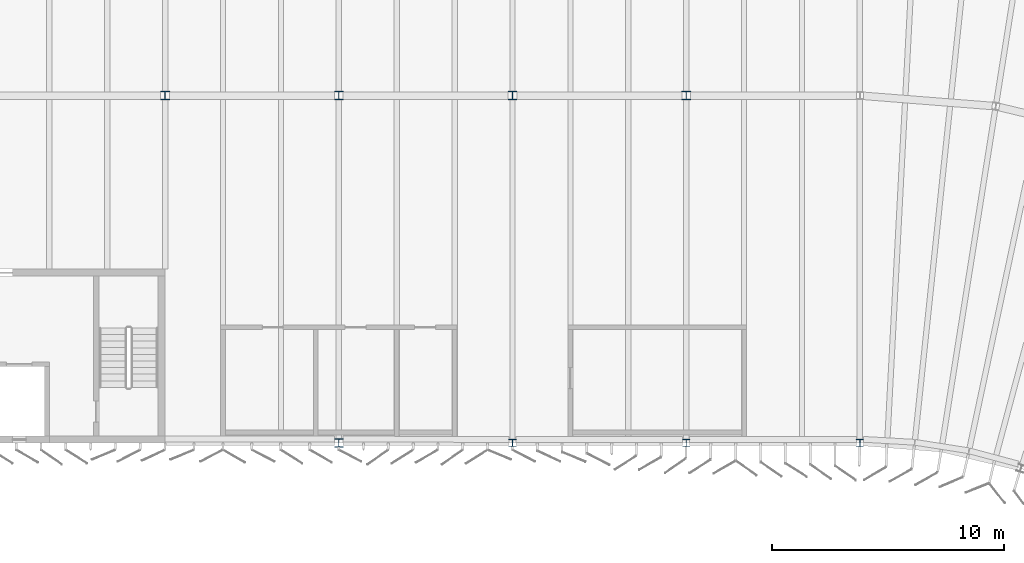
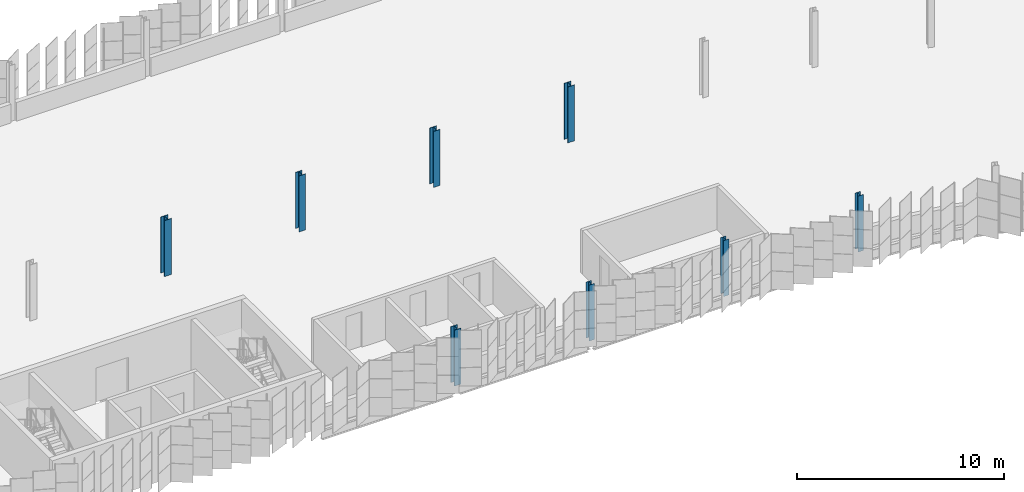
# One storey, part 20 of 199: 8 columns.
"""IFC4 building model written with IfcOpenShell, lengths in metres."""

from ifc_helpers import new_model, si_unit, direction, frame, origin, origin_2d, place, context, subcontext, project, spatial, i_section, extrude, material, material_profile, profile_set, type_object, element, save


model = new_model("IFC4")

# Units and contexts
model_context = context("Model", 3, precision=1e-05, world=origin(), true_north=direction((0.0, 1.0)))
body_context = subcontext(model_context, "Body", "Model", "MODEL_VIEW")
ifc_project = project(units=[si_unit("LENGTHUNIT", "METRE"), si_unit("AREAUNIT", "SQUARE_METRE"), si_unit("VOLUMEUNIT", "CUBIC_METRE"), si_unit("PLANEANGLEUNIT", "RADIAN"), si_unit("MASSUNIT", "GRAM", prefix="KILO")], contexts=[model_context])

# Site, building, storey
site_placement = place(None, origin())
site = spatial("IfcSite", under=ifc_project, at=site_placement, CompositionType="ELEMENT")
building_placement = place(site_placement, origin())
building = spatial("IfcBuilding", under=site, at=building_placement, Name="Parallax Yard Mobility Hub", CompositionType="ELEMENT")
storey_placement = place(building_placement, frame((0.0, 0.0, 9.89990234375)))
storey = spatial("IfcBuildingStorey", under=building, at=storey_placement, Name="L03", CompositionType="ELEMENT", Elevation=9.89990234375)

# Columns
ifc_material = material(Name="Steel ASTM A992", Category="steel")
ifc_material_profile_1 = material_profile(ifc_material, i_section(OverallWidth=0.304931640625, OverallDepth=0.306884765625, WebThickness=0.010009765625, FlangeThickness=0.015380859375, FilletRadius=0.01513671875, at=origin_2d()), Name="W310x97")
ifc_profile_set_1 = profile_set([ifc_material_profile_1], Name="Steel ASTM A992")
column_type_1 = type_object("IfcColumnType", Name="W310x97 column", PredefinedType="COLUMN", material=ifc_profile_set_1)
for number, where, z_axis, x_axis, name in (
    (1, (157.5, 112.5, 0.0), (0.0, 0.0, 1.0), (1.0, 0.0, 0.0), "Column C1 level L03 at R/22 of ramped parking decks"),
    (2, (165.0, 112.5, 0.0), (0.0, 0.0, 1.0), (1.0, 0.0, 0.0), "Column C1 level L03 at R/23 of ramped parking decks"),
    (3, (172.5, 112.5, 0.0), (0.0, 0.0, 1.0), (1.0, 0.0, 0.0), "Column C1 level L03 at R/24 of ramped parking decks"),
):
    element("IfcColumn", number, at=place(storey_placement, frame(where, z_axis=z_axis, x_axis=x_axis)), inside=storey, type_object=column_type_1, Name=name, PredefinedType="COLUMN", context=body_context, shape_type="SweptSolid", body=[
        extrude(i_section(OverallWidth=0.304931640625, OverallDepth=0.306884765625, WebThickness=0.010009765625, FlangeThickness=0.015380859375, FilletRadius=0.01513671875, at=origin_2d()), origin(), (0.0, 0.0, 1.0), 3.300048828125),
    ])
ifc_material_profile_2 = material_profile(ifc_material, i_section(OverallWidth=0.373046875, OverallDepth=0.367919921875, WebThickness=0.014892578125, FlangeThickness=0.02392578125, FilletRadius=0.01513671875, at=origin_2d()), Name="W360x179")
ifc_profile_set_2 = profile_set([ifc_material_profile_2], Name="Steel ASTM A992")
column_type_2 = type_object("IfcColumnType", Name="W360x179 column", PredefinedType="COLUMN", material=ifc_profile_set_2)
for number, where, z_axis, x_axis, name in (
    (4, (150.0, 112.5, 0.0), (0.0, 0.0, 1.0), (1.0, 0.0, 0.0), "Column C7 level L03 at R/21 of ramped parking decks"),
    (5, (150.0, 127.5, 0.0), (0.0, 0.0, 1.0), (1.0, 0.0, 0.0), "Column C7 level L03 at T/21 of ramped parking decks"),
    (6, (157.5, 127.5, 0.0), (0.0, 0.0, 1.0), (1.0, 0.0, 0.0), "Column C7 level L03 at T/22 of ramped parking decks"),
    (7, (165.0, 127.5, 0.0), (0.0, 0.0, 1.0), (1.0, 0.0, 0.0), "Column C7 level L03 at T/23 of ramped parking decks"),
):
    element("IfcColumn", number, at=place(storey_placement, frame(where, z_axis=z_axis, x_axis=x_axis)), inside=storey, type_object=column_type_2, Name=name, PredefinedType="COLUMN", context=body_context, shape_type="SweptSolid", body=[
        extrude(i_section(OverallWidth=0.373046875, OverallDepth=0.367919921875, WebThickness=0.014892578125, FlangeThickness=0.02392578125, FilletRadius=0.01513671875, at=origin_2d()), origin(), (0.0, 0.0, 1.0), 3.300048828125),
    ])
ifc_material_profile_3 = material_profile(ifc_material, i_section(OverallWidth=0.39404296875, OverallDepth=0.3759765625, WebThickness=0.017333984375, FlangeThickness=0.027587890625, FilletRadius=0.01513671875, at=origin_2d()), Name="W360x216")
ifc_profile_set_3 = profile_set([ifc_material_profile_3], Name="Steel ASTM A992")
column_type_3 = type_object("IfcColumnType", Name="W360x216 column", PredefinedType="COLUMN", material=ifc_profile_set_3)
column_placement = place(storey_placement, frame((142.5, 127.5, 0.0), z_axis=(0.0, 0.0, 1.0), x_axis=(1.0, 0.0, 0.0)))
element("IfcColumn", 8, at=column_placement, inside=storey, type_object=column_type_3, Name="Column C9 level L03 at T/20 of ramped parking decks", PredefinedType="COLUMN", context=body_context, shape_type="SweptSolid", body=[
    extrude(i_section(OverallWidth=0.39404296875, OverallDepth=0.3759765625, WebThickness=0.017333984375, FlangeThickness=0.027587890625, FilletRadius=0.01513671875, at=origin_2d()), origin(), (0.0, 0.0, 1.0), 3.300048828125),
])

save(model, "model.ifc")
